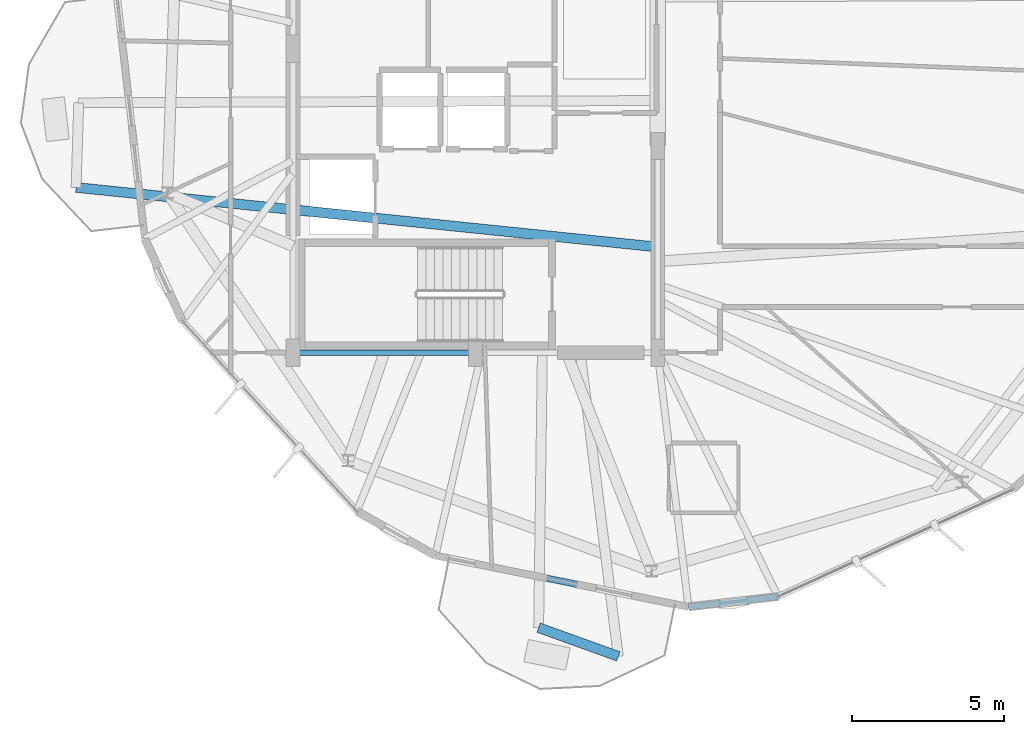
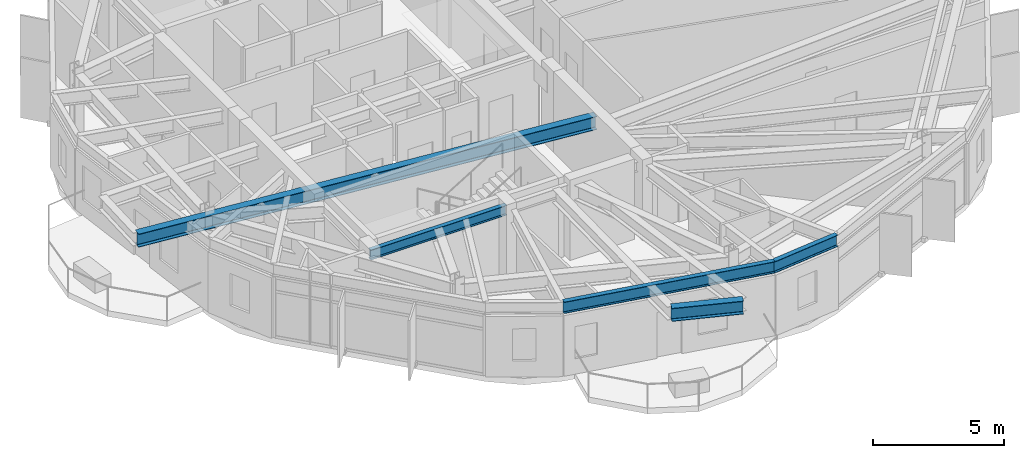
# One storey, part 4 of 23: 5 beams.
"""IFC4 building model written with IfcOpenShell, lengths in metres."""

from ifc_helpers import new_model, si_unit, direction, frame, origin, origin_2d, place, context, subcontext, project, spatial, i_section, extrude, material, material_profile, profile_set, type_object, element, save


model = new_model("IFC4")

# Units and contexts
model_context = context("Model", 3, precision=1e-05, world=origin(), true_north=direction((0.0, 1.0)))
body_context = subcontext(model_context, "Body", "Model", "MODEL_VIEW")
ifc_project = project(units=[si_unit("LENGTHUNIT", "METRE"), si_unit("AREAUNIT", "SQUARE_METRE"), si_unit("VOLUMEUNIT", "CUBIC_METRE"), si_unit("PLANEANGLEUNIT", "RADIAN"), si_unit("MASSUNIT", "GRAM", prefix="KILO")], contexts=[model_context])

# Site, building, storey
site_placement = place(None, origin())
site = spatial("IfcSite", under=ifc_project, at=site_placement, CompositionType="ELEMENT")
building_placement = place(site_placement, origin())
building = spatial("IfcBuilding", under=site, at=building_placement, Name="Soratama Intermodal Tower", CompositionType="ELEMENT")
storey_placement = place(building_placement, frame((0.0, 0.0, 261.25)))
storey = spatial("IfcBuildingStorey", under=building, at=storey_placement, Name="L66", CompositionType="ELEMENT", Elevation=261.25)

# Beams
ifc_material_1 = material(Name="Structural steel ASTM A992 Grade 50", Category="steel")
ifc_material_profile_1 = material_profile(ifc_material_1, i_section(OverallWidth=0.324951171875, OverallDepth=0.615966796875, WebThickness=0.013916015625, FlangeThickness=0.021484375, FilletRadius=0.013916015625, at=origin_2d()), Name="W24X117")
ifc_profile_set_1 = profile_set([ifc_material_profile_1], Name="Structural steel ASTM A992 Grade 50")
beam_type_1 = type_object("IfcBeamType", Name="BM-CANT-W24X117", PredefinedType="BEAM", material=ifc_profile_set_1)
beam_1_placement = place(storey_placement, frame((40.680908203125, 5.950927734375, 3.14208984375), z_axis=(0.940898579381, -0.3386884458, 0.0), x_axis=(0.3386884458, 0.940898579381, 0.0)))
element("IfcBeam", 1, at=beam_1_placement, inside=storey, type_object=beam_type_1, Name="BM-L66-CBHDR-3", PredefinedType="BEAM", context=body_context, shape_type="SweptSolid", body=[
    extrude(i_section(OverallWidth=0.324951171875, OverallDepth=0.615966796875, WebThickness=0.013916015625, FlangeThickness=0.021484375, FilletRadius=0.013916015625, at=origin_2d()), origin(), (0.0, 0.0, 1.0), 2.786865234375),
])
beam_2_placement = place(storey_placement, frame((44.56005859375, 18.47900390625, 3.14208984375), z_axis=(-0.9947907012, 0.101938514827, 0.0), x_axis=(-0.101938514827, -0.9947907012, 0.0)))
element("IfcBeam", 2, at=beam_2_placement, inside=storey, type_object=beam_type_1, Name="BM-L66-CANT-2-2", PredefinedType="BEAM", context=body_context, shape_type="SweptSolid", body=[
    extrude(i_section(OverallWidth=0.324951171875, OverallDepth=0.615966796875, WebThickness=0.013916015625, FlangeThickness=0.021484375, FilletRadius=0.013916015625, at=origin_2d()), origin(), (0.0, 0.0, 1.0), 19.1982421875),
])
ifc_material_2 = material(Name="Structural steel ASTM A992 Grade 50", Category="steel")
ifc_material_profile_2 = material_profile(ifc_material_2, i_section(OverallWidth=0.19091796875, OverallDepth=0.4599609375, WebThickness=0.010009765625, FlangeThickness=0.01611328125, FilletRadius=0.010986328125, at=origin_2d()), Name="W18X55")
ifc_profile_set_2 = profile_set([ifc_material_profile_2], Name="Structural steel ASTM A992 Grade 50")
beam_type_2 = type_object("IfcBeamType", Name="BM-FLR-W18X55", PredefinedType="BEAM", material=ifc_profile_set_2)
beam_3_placement = place(storey_placement, frame((32.60009765625, 15.0, 3.219970703125), z_axis=(1.0, 0.0, 0.0), x_axis=(0.0, 1.0, 0.0)))
element("IfcBeam", 3, at=beam_3_placement, inside=storey, type_object=beam_type_2, Name="BM-L66-CRING-01", PredefinedType="BEAM", context=body_context, shape_type="SweptSolid", body=[
    extrude(i_section(OverallWidth=0.19091796875, OverallDepth=0.4599609375, WebThickness=0.010009765625, FlangeThickness=0.01611328125, FilletRadius=0.010986328125, at=origin_2d()), origin(), (0.0, 0.0, 1.0), 6.0),
])
ifc_material_3 = material(Name="Structural steel ASTM A992 Grade 50", Category="steel")
ifc_material_profile_3 = material_profile(ifc_material_3, i_section(OverallWidth=0.2099609375, OverallDepth=0.537109375, WebThickness=0.010986328125, FlangeThickness=0.017333984375, FilletRadius=0.012939453125, at=origin_2d()), Name="W21X68")
ifc_profile_set_3 = profile_set([ifc_material_profile_3], Name="Structural steel ASTM A992 Grade 50")
beam_type_3 = type_object("IfcBeamType", Name="BM-SPN-W21X68", PredefinedType="SPANDREL", material=ifc_profile_set_3)
beam_4_placement = place(storey_placement, frame((37.281982421875, 8.321044921875, 3.181396484375), z_axis=(0.980062535908, -0.198689269236, 0.0), x_axis=(0.198689269236, 0.980062535908, 0.0)))
element("IfcBeam", 4, at=beam_4_placement, inside=storey, type_object=beam_type_3, Name="BS-L66-F06", PredefinedType="SPANDREL", context=body_context, shape_type="SweptSolid", body=[
    extrude(i_section(OverallWidth=0.2099609375, OverallDepth=0.537109375, WebThickness=0.010986328125, FlangeThickness=0.017333984375, FilletRadius=0.012939453125, at=origin_2d()), origin(), (0.0, 0.0, 1.0), 8.50048828125),
])
beam_5_placement = place(storey_placement, frame((45.613037109375, 6.632080078125, 3.181396484375), z_axis=(0.99349122256, 0.113908694559, 0.0), x_axis=(-0.113908694559, 0.99349122256, 0.0)))
element("IfcBeam", 5, at=beam_5_placement, inside=storey, type_object=beam_type_3, Name="BS-L66-CRN06", PredefinedType="SPANDREL", context=body_context, shape_type="SweptSolid", body=[
    extrude(i_section(OverallWidth=0.2099609375, OverallDepth=0.537109375, WebThickness=0.010986328125, FlangeThickness=0.017333984375, FilletRadius=0.012939453125, at=origin_2d()), origin(), (0.0, 0.0, 1.0), 2.96630859375),
])

save(model, "model.ifc")
